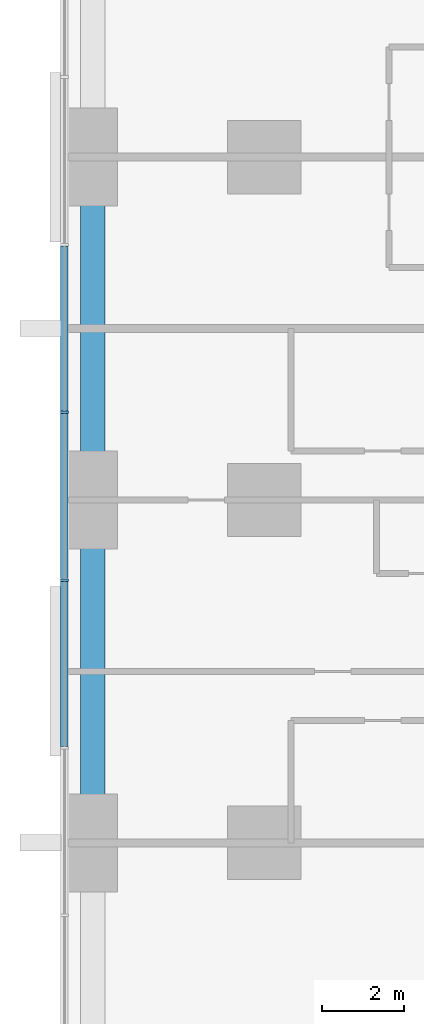
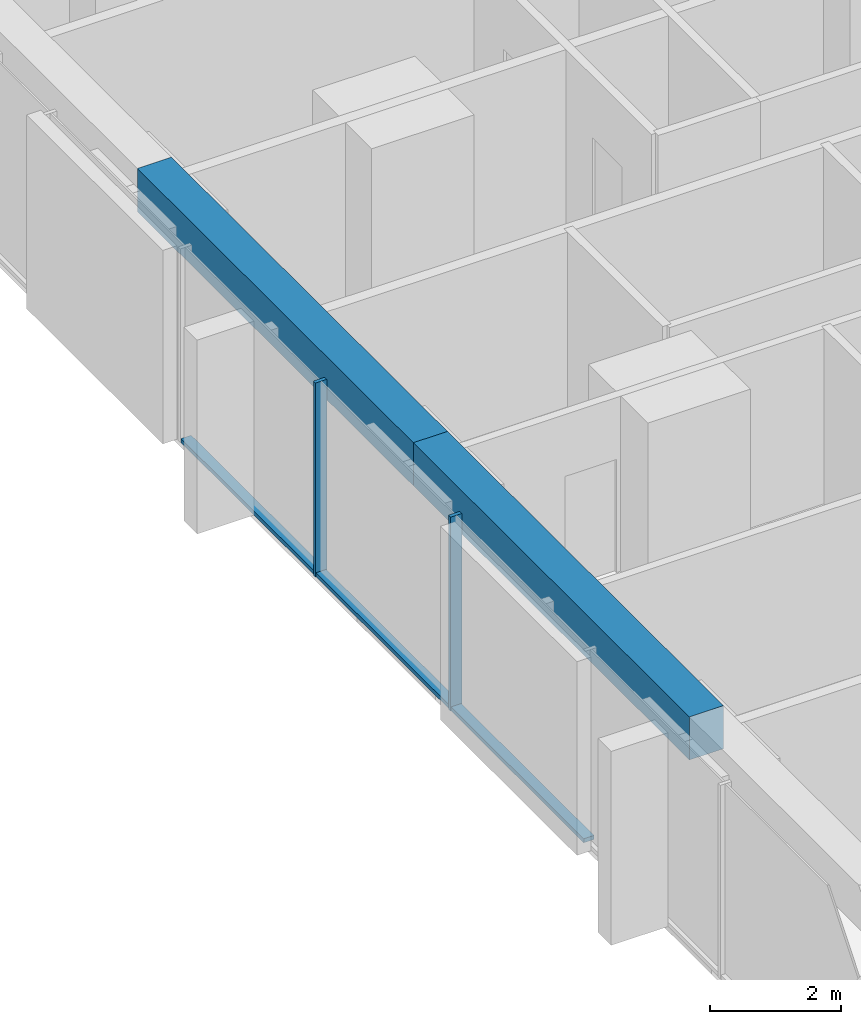
# One storey, part 3 of 17: 5 members, 2 beams, 1 element without a shape of its own.
"""IFC4 building model written with IfcOpenShell, lengths in metres."""

from ifc_helpers import new_model, si_unit, direction, frame, origin, origin_2d, place, context, subcontext, project, spatial, rectangle, extrude, material, material_profile, profile_set, type_object, element, aggregate, save


model = new_model("IFC4")

# Units and contexts
model_context = context("Model", 3, precision=1e-05, world=origin(), true_north=direction((0.0, 1.0)))
body_context = subcontext(model_context, "Body", "Model", "MODEL_VIEW")
ifc_project = project(units=[si_unit("LENGTHUNIT", "METRE"), si_unit("AREAUNIT", "SQUARE_METRE"), si_unit("VOLUMEUNIT", "CUBIC_METRE"), si_unit("PLANEANGLEUNIT", "RADIAN"), si_unit("MASSUNIT", "GRAM", prefix="KILO")], contexts=[model_context])

# Site, building, storey
site_placement = place(None, origin())
site = spatial("IfcSite", under=ifc_project, at=site_placement, CompositionType="ELEMENT")
building_placement = place(site_placement, origin())
building = spatial("IfcBuilding", under=site, at=building_placement, Name="Dunama Terrace Hotel", CompositionType="ELEMENT")
storey_placement = place(building_placement, frame((0.0, 0.0, 45.0)))
storey = spatial("IfcBuildingStorey", under=building, at=storey_placement, Name="L10", CompositionType="ELEMENT", Elevation=45.0)

# Curtain wall, members
ifc_material_1 = material(Name="Aluminium curtain wall system", Category="aluminium")
curtain_wall_type = type_object("IfcCurtainWallType", Name="Unitised fritted glass wall CW-A", PredefinedType="NOTDEFINED", material=ifc_material_1)
curtain_wall_placement = place(storey_placement, origin())
curtain_wall = element("IfcCurtainWall", 1, at=curtain_wall_placement, inside=storey, type_object=curtain_wall_type, Name="Unitised fritted glass wall CW-A L10", PredefinedType="NOTDEFINED")
ifc_material_2 = material(Name="Aluminium mullion", Category="aluminium")
ifc_material_profile_1 = material_profile(ifc_material_2, rectangle(XDim=0.06494140625, YDim=0.199951171875, at=origin_2d()), Name="CWA MULLION 65X200")
ifc_profile_set_1 = profile_set([ifc_material_profile_1], Name="Aluminium mullion")
member_type_1 = type_object("IfcMemberType", Name="CWA mullion 65x200", PredefinedType="MULLION", material=ifc_profile_set_1)
member_1_placement = place(storey_placement, frame((-0.10009765625, 27.345947265625, 0.0), z_axis=(0.0, 0.0, 1.0), x_axis=(0.0, -1.0, 0.0)))
member_1 = element("IfcMember", 2, at=member_1_placement, type_object=member_type_1, Name="CWA mullion", PredefinedType="MULLION", context=body_context, shape_type="SweptSolid", body=[
    extrude(rectangle(XDim=0.06494140625, YDim=0.199951171875, at=origin_2d()), origin(), (0.0, 0.0, 1.0), 3.60009765625),
])
member_2_placement = place(storey_placement, frame((-0.10009765625, 23.238037109375, 0.0), z_axis=(0.0, 0.0, 1.0), x_axis=(0.0, -1.0, 0.0)))
member_2 = element("IfcMember", 3, at=member_2_placement, type_object=member_type_1, Name="CWA mullion", PredefinedType="MULLION", context=body_context, shape_type="SweptSolid", body=[
    extrude(rectangle(XDim=0.06494140625, YDim=0.199951171875, at=origin_2d()), origin(), (0.0, 0.0, 1.0), 3.60009765625),
])
ifc_material_3 = material(Name="Aluminium transom", Category="aluminium")
ifc_material_profile_2 = material_profile(ifc_material_3, rectangle(XDim=0.179931640625, YDim=0.074951171875, at=origin_2d()), Name="CWA TRANSOM 180X75")
ifc_profile_set_2 = profile_set([ifc_material_profile_2], Name="Aluminium transom")
member_type_2 = type_object("IfcMemberType", Name="CWA transom 180x75", PredefinedType="USERDEFINED", material=ifc_profile_set_2)
member_3_placement = place(storey_placement, frame((-0.10009765625, 31.4208984375, 0.03759765625), z_axis=(0.0, -1.0, 0.0), x_axis=(1.0, 0.0, 0.0)))
member_3 = element("IfcMember", 4, at=member_3_placement, type_object=member_type_2, Name="CWA transom", ObjectType="TRANSOM", PredefinedType="USERDEFINED", context=body_context, shape_type="SweptSolid", body=[
    extrude(rectangle(XDim=0.179931640625, YDim=0.074951171875, at=origin_2d()), origin(), (0.0, 0.0, 1.0), 4.0419921875),
])
member_4_placement = place(storey_placement, frame((-0.10009765625, 27.31396484375, 0.03759765625), z_axis=(0.0, -1.0, 0.0), x_axis=(1.0, 0.0, 0.0)))
member_4 = element("IfcMember", 5, at=member_4_placement, type_object=member_type_2, Name="CWA transom", ObjectType="TRANSOM", PredefinedType="USERDEFINED", context=body_context, shape_type="SweptSolid", body=[
    extrude(rectangle(XDim=0.179931640625, YDim=0.074951171875, at=origin_2d()), origin(), (0.0, 0.0, 1.0), 4.04296875),
])
member_5_placement = place(storey_placement, frame((-0.10009765625, 23.2060546875, 0.03759765625), z_axis=(0.0, -1.0, 0.0), x_axis=(1.0, 0.0, 0.0)))
member_5 = element("IfcMember", 6, at=member_5_placement, type_object=member_type_2, Name="CWA transom", ObjectType="TRANSOM", PredefinedType="USERDEFINED", context=body_context, shape_type="SweptSolid", body=[
    extrude(rectangle(XDim=0.179931640625, YDim=0.074951171875, at=origin_2d()), origin(), (0.0, 0.0, 1.0), 4.04296875),
])
aggregate(curtain_wall, [member_1, member_2, member_3, member_4, member_5])

# Beams
ifc_material_4 = material(Name="Concrete C40/50", Category="concrete")
ifc_material_profile_3 = material_profile(ifc_material_4, rectangle(XDim=0.60009765625, YDim=0.800048828125, at=origin_2d()), Name="RC 600x800")
ifc_profile_set_3 = profile_set([ifc_material_profile_3], Name="Concrete C40/50")
beam_type = type_object("IfcBeamType", Name="Edge beam RC 600x800", PredefinedType="SPANDREL", material=ifc_profile_set_3)
beam_1_placement = place(storey_placement, frame((0.60009765625, 16.800048828125, 3.199951171875), z_axis=(0.0, 1.0, 0.0), x_axis=(-1.0, 0.0, 0.0)))
element("IfcBeam", 7, at=beam_1_placement, inside=storey, type_object=beam_type, Name="Edge beam under L11", PredefinedType="SPANDREL", context=body_context, shape_type="SweptSolid", body=[
    extrude(rectangle(XDim=0.60009765625, YDim=0.800048828125, at=origin_2d()), origin(), (0.0, 0.0, 1.0), 8.39990234375),
])
beam_2_placement = place(storey_placement, frame((0.60009765625, 25.199951171875, 3.199951171875), z_axis=(0.0, 1.0, 0.0), x_axis=(-1.0, 0.0, 0.0)))
element("IfcBeam", 8, at=beam_2_placement, inside=storey, type_object=beam_type, Name="Edge beam under L11", PredefinedType="SPANDREL", context=body_context, shape_type="SweptSolid", body=[
    extrude(rectangle(XDim=0.60009765625, YDim=0.800048828125, at=origin_2d()), origin(), (0.0, 0.0, 1.0), 8.400146484375),
])

save(model, "model.ifc")
